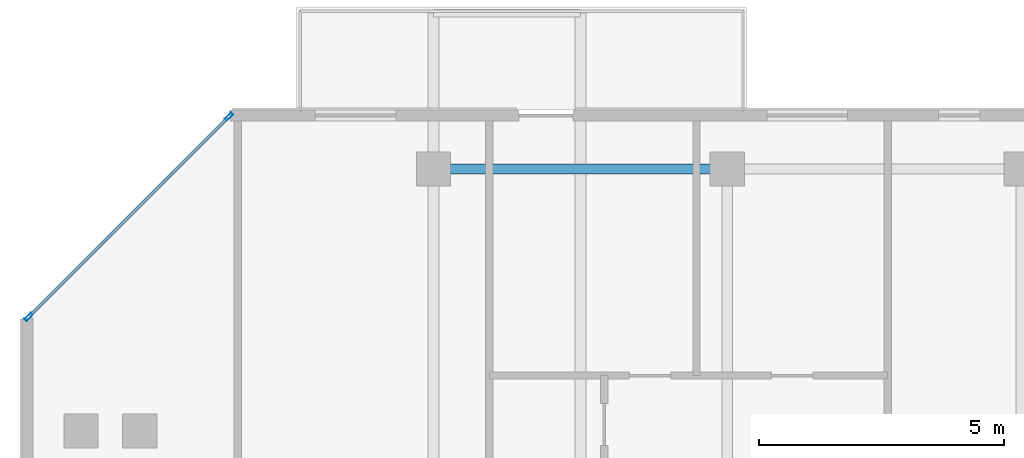
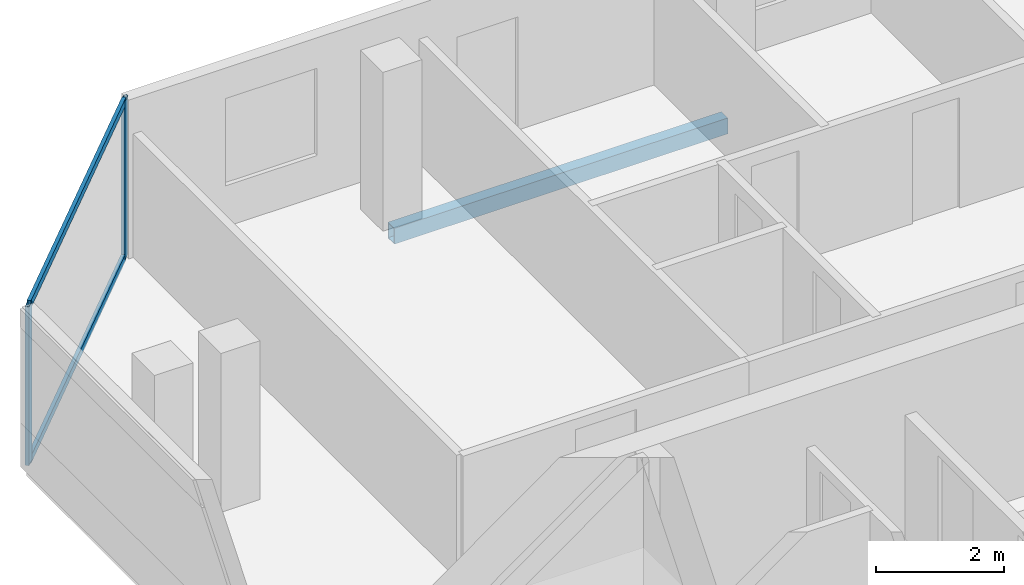
# One storey, part 6 of 24: 4 members, 1 beam, 1 element without a shape of its own.
"""IFC4 building model written with IfcOpenShell, lengths in metres."""

import ifcopenshell
import ifcopenshell.guid

model = None  # the IFC model being written
_history = None  # IfcOwnerHistory: only IFC2X3 demands one
_inside = {}  # id of a spatial element -> (the spatial element, [elements in it])
_under = {}  # id of a project, library or spatial element -> (it, [spatial elements below it])
_declared = {}  # id of a project -> (the project, [libraries it declares])
_typed = {}  # id of a type object -> (the type object, [elements of that type])
_made_of = {}  # id of a material, layer set ... -> (it, [elements and type objects made of it])


def new_model(schema):
    """Start an empty IFC model of exactly this schema.

    Asked for "IFC4X3", IfcOpenShell would pick the latest addendum, in which some entities
    have other attributes; the version numbers below select the first issue.
    IFC2X3 requires an IfcOwnerHistory on every rooted entity: one is made here for all.
    """
    global model, _history
    if schema == "IFC4X3":
        model = ifcopenshell.file(schema_version=(4, 3, 0, 0))
    else:
        model = ifcopenshell.file(schema=schema)
    _inside.clear()
    _under.clear()
    _declared.clear()
    _typed.clear()
    _made_of.clear()
    _history = None
    if model.schema == "IFC2X3":
        org = make("IfcOrganization", Name="unknown")
        user = make(
            "IfcPersonAndOrganization",
            ThePerson=make("IfcPerson", FamilyName="unknown"),
            TheOrganization=org,
        )
        app = make(
            "IfcApplication",
            ApplicationDeveloper=org,
            Version="unknown",
            ApplicationFullName="unknown",
            ApplicationIdentifier="unknown",
        )
        _history = make(
            "IfcOwnerHistory",
            OwningUser=user,
            OwningApplication=app,
            ChangeAction="ADDED",
            CreationDate=0,
        )
    return model


def make(cls, **values):
    """One entity of the class cls with the attributes given. An attribute that is None is left unset."""
    return model.create_entity(
        cls, **{name: value for name, value in values.items() if value is not None}
    )


def rooted(cls, **values):
    """An entity with a GlobalId (a new one), such as an element, a storey or a relation."""
    return make(cls, GlobalId=ifcopenshell.guid.new(), OwnerHistory=_history, **values)


def si_unit(unit_type, name, prefix=None):
    """IfcSIUnit, for example si_unit("LENGTHUNIT", "METRE", prefix="MILLI")."""
    return make("IfcSIUnit", UnitType=unit_type, Prefix=prefix, Name=name)


def assignment(units):
    """IfcUnitAssignment: the units of a project."""
    return None if units is None else make("IfcUnitAssignment", Units=units)


def point(xyz):
    """IfcCartesianPoint."""
    return None if xyz is None else make("IfcCartesianPoint", Coordinates=xyz)


def direction(xyz):
    """IfcDirection."""
    return None if xyz is None else make("IfcDirection", DirectionRatios=xyz)


def frame(location, z_axis=None, x_axis=None):
    """IfcAxis2Placement3D, a coordinate frame: its origin and axes. An axis left out is left unset."""
    return make(
        "IfcAxis2Placement3D",
        Location=point(location),
        Axis=direction(z_axis),
        RefDirection=direction(x_axis),
    )


def frame_2d(location, x_axis=None):
    """IfcAxis2Placement2D, a coordinate frame in the plane: its origin and x axis."""
    return make(
        "IfcAxis2Placement2D", Location=point(location), RefDirection=direction(x_axis)
    )


def origin():
    """The frame at (0, 0, 0) with its axes left unset."""
    return frame((0.0, 0.0, 0.0))


def origin_2d():
    """The frame at (0, 0) in the plane with its x axis left unset."""
    return frame_2d((0.0, 0.0))


def place(relative_to, where):
    """IfcLocalPlacement: puts the frame where relative to a parent placement (None: the world)."""
    return make(
        "IfcLocalPlacement", PlacementRelTo=relative_to, RelativePlacement=where
    )


def context(
    kind, dimensions, precision=None, world=None, true_north=None, identifier=None
):
    """IfcGeometricRepresentationContext, for example the 3D "Model" context."""
    return make(
        "IfcGeometricRepresentationContext",
        ContextIdentifier=identifier,
        ContextType=kind,
        CoordinateSpaceDimension=dimensions,
        Precision=precision,
        WorldCoordinateSystem=world,
        TrueNorth=true_north,
    )


def subcontext(parent, identifier, kind, view, scale=None):
    """IfcGeometricRepresentationSubContext, for example "Body" below "Model"."""
    return make(
        "IfcGeometricRepresentationSubContext",
        ContextIdentifier=identifier,
        ContextType=kind,
        ParentContext=parent,
        TargetScale=scale,
        TargetView=view,
    )


def project(units=None, contexts=None):
    """IfcProject with its units and contexts."""
    return rooted(
        "IfcProject",
        Name="project",
        RepresentationContexts=contexts,
        UnitsInContext=assignment(units),
    )


def spatial(cls, under=None, at=None, **own):
    """A site, building, storey or space (cls), placed at a placement, below another one or the project."""
    s = rooted(cls, ObjectPlacement=at, **own)
    if under is not None:
        _under.setdefault(under.id(), (under, []))[1].append(s)
    return s


def profile(cls, at=None, kind="AREA", **sizes):
    """A parametric profile (cls). Its sizes go by their IFC names, for example OverallWidth=200.0."""
    return make(cls, ProfileType=kind, Position=at, **sizes)


def hollow_rectangle(**sizes):
    """IfcRectangleHollowProfileDef."""
    return profile("IfcRectangleHollowProfileDef", **sizes)


def extrude(swept, where, along, depth):
    """IfcExtrudedAreaSolid: the profile swept, set in the frame where, extruded along a direction by depth."""
    return make(
        "IfcExtrudedAreaSolid",
        SweptArea=swept,
        Position=where,
        ExtrudedDirection=direction(along),
        Depth=depth,
    )


def shape(context_of_items, identifier, shape_type, items):
    """IfcShapeRepresentation: the items that make up one representation, for example the "Body"."""
    return make(
        "IfcShapeRepresentation",
        ContextOfItems=context_of_items,
        RepresentationIdentifier=identifier,
        RepresentationType=shape_type,
        Items=items,
    )


def material(Name=None, Category=None):
    """IfcMaterial."""
    return make("IfcMaterial", Name=Name, Category=Category)


def layer(
    of_material, thickness, ventilated=None, Name=None, Category=None, Priority=None
):
    """IfcMaterialLayer: one layer of a wall or slab, of a material (None: an air gap)."""
    return make(
        "IfcMaterialLayer",
        Material=of_material,
        LayerThickness=thickness,
        IsVentilated=ventilated,
        Name=Name,
        Category=Category,
        Priority=Priority,
    )


def layer_set(layers, Name=None):
    """IfcMaterialLayerSet."""
    return make("IfcMaterialLayerSet", MaterialLayers=layers, LayerSetName=Name)


def material_profile(
    of_material, cross_section, Name=None, Category=None, Priority=None
):
    """IfcMaterialProfile: a cross section and its material."""
    return make(
        "IfcMaterialProfile",
        Name=Name,
        Material=of_material,
        Profile=cross_section,
        Priority=Priority,
        Category=Category,
    )


def profile_set(profiles, Name=None, composite=None):
    """IfcMaterialProfileSet."""
    return make(
        "IfcMaterialProfileSet",
        Name=Name,
        MaterialProfiles=profiles,
        CompositeProfile=composite,
    )


def made_of(thing, what):
    """Note that an element or type object is made of a material, layer set ...; save() writes the relation."""
    if what is not None:
        _made_of.setdefault(what.id(), (what, []))[1].append(thing)
    return thing


def type_object(cls, material=None, **own):
    """A type object (cls), such as IfcWallType, which elements share."""
    return made_of(rooted(cls, **own), material)


def element(
    cls,
    number,
    at=None,
    inside=None,
    cuts=None,
    type_object=None,
    material=None,
    context=None,
    identifier="Body",
    shape_type=None,
    held_by="IfcProductDefinitionShape",
    body=None,
    shapes=None,
    **own,
):
    """One element of the class cls, such as IfcWall. Its Tag is "e" and its number.

    at: its placement. inside: the storey or other place that contains it. cuts: it is an
    opening in that element (IfcRelVoidsElement). A single representation is given by context,
    identifier, shape_type and body (its items); several are given by shapes. held_by: the class
    of the entity that holds the representations. save() writes the other relations.
    """
    e = rooted(cls, Tag="e%d" % number, ObjectPlacement=at, **own)
    if body is not None:
        shapes = [shape(context, identifier, shape_type, body)]
    if shapes is not None:
        e.Representation = make(held_by, Representations=shapes)
    if inside is not None:
        _inside.setdefault(inside.id(), (inside, []))[1].append(e)
    if cuts is not None:
        rooted(
            "IfcRelVoidsElement", RelatingBuildingElement=cuts, RelatedOpeningElement=e
        )
    if type_object is not None:
        _typed.setdefault(type_object.id(), (type_object, []))[1].append(e)
    return made_of(e, material)


def aggregate(whole, parts):
    """IfcRelAggregates: a whole, such as a stair, and the parts it consists of."""
    return rooted("IfcRelAggregates", RelatingObject=whole, RelatedObjects=parts)


def save(model, path):
    """Write the relations noted so far, then the file.

    IfcRelAggregates (storeys below a building ...), IfcRelContainedInSpatialStructure (elements
    in a storey), IfcRelDefinesByType, IfcRelAssociatesMaterial and IfcRelDeclares: one each for
    every whole, place, type object, material and project.
    """
    for whole, parts in _under.values():
        aggregate(whole, parts)
    for where, things in _inside.values():
        rooted(
            "IfcRelContainedInSpatialStructure",
            RelatedElements=things,
            RelatingStructure=where,
        )
    for kind, things in _typed.values():
        rooted("IfcRelDefinesByType", RelatedObjects=things, RelatingType=kind)
    for what, things in _made_of.values():
        rooted("IfcRelAssociatesMaterial", RelatedObjects=things, RelatingMaterial=what)
    for by, libraries in _declared.values():
        rooted("IfcRelDeclares", RelatingContext=by, RelatedDefinitions=libraries)
    model.write(path)


model = new_model("IFC4")

# Units and contexts
model_context = context("Model", 3, precision=1e-05, world=origin(), true_north=direction((0.0, 1.0)))
body_context = subcontext(model_context, "Body", "Model", "MODEL_VIEW")
ifc_project = project(units=[si_unit("LENGTHUNIT", "METRE"), si_unit("AREAUNIT", "SQUARE_METRE"), si_unit("VOLUMEUNIT", "CUBIC_METRE"), si_unit("PLANEANGLEUNIT", "RADIAN"), si_unit("MASSUNIT", "GRAM", prefix="KILO")], contexts=[model_context])

# Site, building, storey
site_placement = place(None, origin())
site = spatial("IfcSite", under=ifc_project, at=site_placement, CompositionType="ELEMENT")
building_placement = place(site_placement, origin())
building = spatial("IfcBuilding", under=site, at=building_placement, Name="Tanjung Sevakor Pilgrim Tower", CompositionType="ELEMENT")
storey_placement = place(building_placement, frame((0.0, 0.0, 226.050048828125)))
storey = spatial("IfcBuildingStorey", under=building, at=storey_placement, Name="L63", CompositionType="ELEMENT", Elevation=226.050048828125)

# Beam
ifc_material_1 = material(Name="Steel S355J2", Category="steel")
ifc_material_profile_1 = material_profile(ifc_material_1, hollow_rectangle(XDim=0.199951171875, YDim=0.300048828125, WallThickness=0.012451171875, at=origin_2d()))
ifc_profile_set_1 = profile_set([ifc_material_profile_1], Name="Steel S355J2")
beam_type = type_object("IfcBeamType", Name="BM-B-SP3-RHS_300x200x12.5", PredefinedType="SPANDREL", material=ifc_profile_set_1)
beam_placement = place(storey_placement, frame((30.0, 53.949951171875, -0.3701171875), z_axis=(1.0, 0.0, 0.0), x_axis=(0.0, 1.0, 0.0)))
element("IfcBeam", 1, at=beam_placement, inside=storey, type_object=beam_type, Name="L63 Spandrel MAIN N-02", PredefinedType="SPANDREL", context=body_context, shape_type="SweptSolid", body=[
    extrude(hollow_rectangle(XDim=0.199951171875, YDim=0.300048828125, WallThickness=0.012451171875, at=origin_2d()), origin(), (0.0, 0.0, 1.0), 6.0),
])

# Curtain wall, members
ifc_material_2 = material(Name="Aluminium 6063-T6 and Low-E Glass", Category="aluminium")
ifc_layer = layer(ifc_material_2, 0.179931640625)
ifc_layer_set = layer_set([ifc_layer], Name="CW-SYS-CHAM")
curtain_wall_type = type_object("IfcCurtainWallType", Name="CW-SYS-CHAM", PredefinedType="NOTDEFINED", material=ifc_layer_set)
curtain_wall_placement = place(storey_placement, origin())
curtain_wall = element("IfcCurtainWall", 2, at=curtain_wall_placement, inside=storey, type_object=curtain_wall_type, Name="L63 Curtain Wall CW-CHM-L63-MAIN-13", PredefinedType="NOTDEFINED")
ifc_material_3 = material(Name="Aluminium 6063-T6", Category="aluminium")
ifc_material_profile_2 = material_profile(ifc_material_3, hollow_rectangle(XDim=0.06494140625, YDim=0.179931640625, WallThickness=0.00390625, at=origin_2d()))
ifc_profile_set_2 = profile_set([ifc_material_profile_2], Name="Aluminium 6063-T6")
member_type_1 = type_object("IfcMemberType", Name="TYPE-CWM-1", PredefinedType="MULLION", material=ifc_profile_set_2)
member_1_placement = place(storey_placement, frame((25.822509765625, 55.01708984375, 0.0), z_axis=(0.0, 0.0, 1.0), x_axis=(0.707106781187, -0.707106781187, 0.0)))
member_1 = element("IfcMember", 3, at=member_1_placement, type_object=member_type_1, Name="CW-CHM mullion 1", PredefinedType="MULLION", context=body_context, shape_type="SweptSolid", body=[
    extrude(hollow_rectangle(XDim=0.06494140625, YDim=0.179931640625, WallThickness=0.00390625, at=origin_2d()), origin(), (0.0, 0.0, 1.0), 3.02001953125),
])
member_2_placement = place(storey_placement, frame((21.73291015625, 50.927490234375, 0.0), z_axis=(0.0, 0.0, 1.0), x_axis=(0.707106781187, -0.707106781187, 0.0)))
member_2 = element("IfcMember", 4, at=member_2_placement, type_object=member_type_1, Name="CW-CHM mullion 2", PredefinedType="MULLION", context=body_context, shape_type="SweptSolid", body=[
    extrude(hollow_rectangle(XDim=0.06494140625, YDim=0.179931640625, WallThickness=0.00390625, at=origin_2d()), origin(), (0.0, 0.0, 1.0), 3.02001953125),
])
ifc_material_4 = material(Name="Aluminium 6063-T6", Category="aluminium")
ifc_material_profile_3 = material_profile(ifc_material_4, hollow_rectangle(XDim=0.06494140625, YDim=0.139892578125, WallThickness=0.00390625, at=origin_2d()))
ifc_profile_set_3 = profile_set([ifc_material_profile_3], Name="Aluminium 6063-T6")
member_type_2 = type_object("IfcMemberType", Name="TYPE-CWT-1", PredefinedType="USERDEFINED", material=ifc_profile_set_3)
member_3_placement = place(storey_placement, frame((25.799560546875, 54.994140625, 0.032470703125), z_axis=(-0.707106781187, -0.707106781187, 0.0), x_axis=(0.707106781187, -0.707106781187, 0.0)))
member_3 = element("IfcMember", 5, at=member_3_placement, type_object=member_type_2, Name="CW-CHM transom 1.1", ObjectType="TRANSOM", PredefinedType="USERDEFINED", context=body_context, shape_type="SweptSolid", body=[
    extrude(hollow_rectangle(XDim=0.06494140625, YDim=0.139892578125, WallThickness=0.00390625, at=origin_2d()), origin(), (0.0, 0.0, 1.0), 5.71875),
])
member_4_placement = place(storey_placement, frame((25.799560546875, 54.994140625, 2.987548828125), z_axis=(-0.707106781187, -0.707106781187, 0.0), x_axis=(0.707106781187, -0.707106781187, 0.0)))
member_4 = element("IfcMember", 6, at=member_4_placement, type_object=member_type_2, Name="CW-CHM transom 1.2", ObjectType="TRANSOM", PredefinedType="USERDEFINED", context=body_context, shape_type="SweptSolid", body=[
    extrude(hollow_rectangle(XDim=0.06494140625, YDim=0.139892578125, WallThickness=0.00390625, at=origin_2d()), origin(), (0.0, 0.0, 1.0), 5.71875),
])
aggregate(curtain_wall, [member_1, member_2, member_3, member_4])

save(model, "model.ifc")
